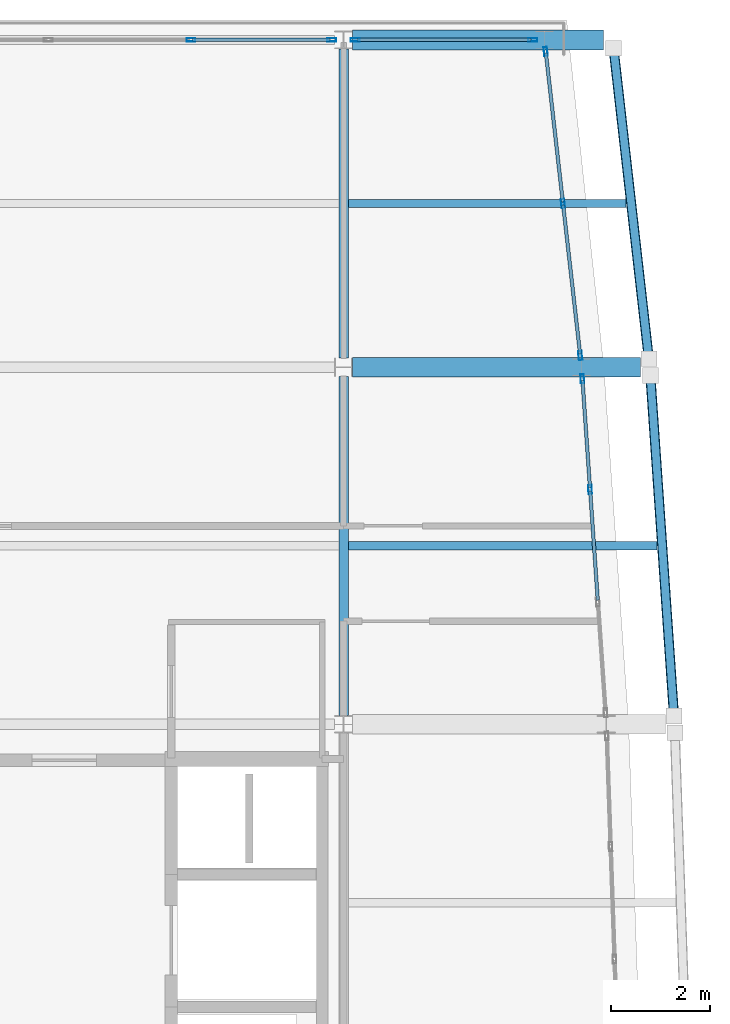
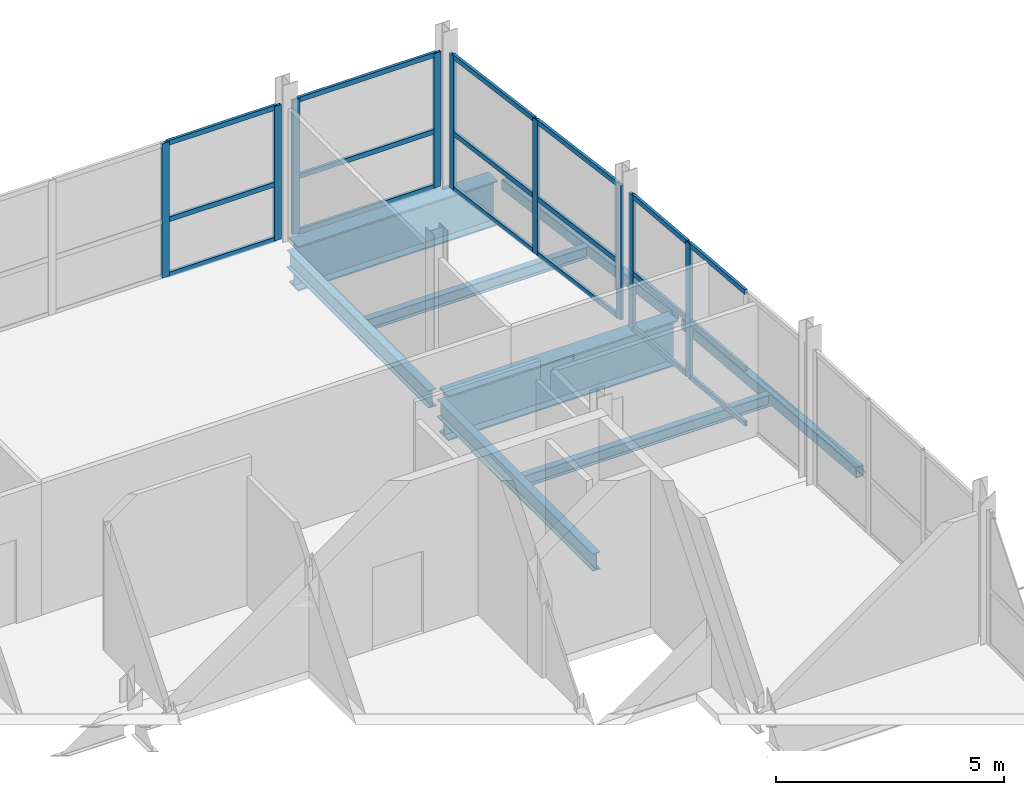
# One storey, part 9 of 17: 27 members, 8 beams, 4 elements without a shape of their own.
"""IFC4 building model written with IfcOpenShell, lengths in metres."""

from ifc_helpers import new_model, si_unit, direction, frame, origin, origin_2d, place, context, subcontext, project, spatial, hollow_rectangle, i_section, extrude, material, layer, layer_set, material_profile, profile_set, type_object, element, aggregate, save


model = new_model("IFC4")

# Units and contexts
model_context = context("Model", 3, precision=1e-05, world=origin(), true_north=direction((0.0, 1.0)))
body_context = subcontext(model_context, "Body", "Model", "MODEL_VIEW")
ifc_project = project(units=[si_unit("LENGTHUNIT", "METRE"), si_unit("AREAUNIT", "SQUARE_METRE"), si_unit("VOLUMEUNIT", "CUBIC_METRE"), si_unit("PLANEANGLEUNIT", "RADIAN"), si_unit("MASSUNIT", "GRAM", prefix="KILO")], contexts=[model_context])

# Site, building, storey
site_placement = place(None, origin())
site = spatial("IfcSite", under=ifc_project, at=site_placement, CompositionType="ELEMENT")
building_placement = place(site_placement, origin())
building = spatial("IfcBuilding", under=site, at=building_placement, Name="Quillay Park Conservatory", CompositionType="ELEMENT")
storey_placement = place(building_placement, frame((0.0, 0.0, 47.699951171875)))
storey = spatial("IfcBuildingStorey", under=building, at=storey_placement, Name="L11", CompositionType="ELEMENT", Elevation=47.699951171875)

# Beams
ifc_material_1 = material(Name="Steel ASTM A992 Grade 50", Category="steel")
ifc_material_profile_1 = material_profile(ifc_material_1, i_section(OverallWidth=0.166015625, OverallDepth=0.31298828125, WebThickness=0.006591796875, FlangeThickness=0.01123046875, FilletRadius=0.010009765625, at=origin_2d()), Name="W310x45")
ifc_profile_set_1 = profile_set([ifc_material_profile_1], Name="Steel ASTM A992 Grade 50")
beam_type_1 = type_object("IfcBeamType", Name="COMPOSITE FLOOR JOIST W310 X45", PredefinedType="JOIST", material=ifc_profile_set_1)
beam_1_placement = place(storey_placement, frame((19.845947265625, 103.199951171875, -0.38134765625), z_axis=(1.0, 0.0, 0.0), x_axis=(0.0, 1.0, 0.0)))
element("IfcBeam", 1, at=beam_1_placement, inside=storey, type_object=beam_type_1, Name="L11 beam BM-J-0817", PredefinedType="JOIST", context=body_context, shape_type="SweptSolid", body=[
    extrude(i_section(OverallWidth=0.166015625, OverallDepth=0.31298828125, WebThickness=0.006591796875, FlangeThickness=0.01123046875, FilletRadius=0.010009765625, at=origin_2d()), origin(), (0.0, 0.0, 1.0), 6.22900390625),
])
beam_2_placement = place(storey_placement, frame((19.845947265625, 110.10009765625, -0.38134765625), z_axis=(1.0, 0.0, 0.0), x_axis=(0.0, 1.0, 0.0)))
element("IfcBeam", 2, at=beam_2_placement, inside=storey, type_object=beam_type_1, Name="L11 beam BM-J-0824", PredefinedType="JOIST", context=body_context, shape_type="SweptSolid", body=[
    extrude(i_section(OverallWidth=0.166015625, OverallDepth=0.31298828125, WebThickness=0.006591796875, FlangeThickness=0.01123046875, FilletRadius=0.010009765625, at=origin_2d()), origin(), (0.0, 0.0, 1.0), 5.60400390625),
])

# Curtain wall, members
ifc_material_2 = material(Name="Thermally Broken Anodised Aluminium 6063-T6", Category="aluminium")
ifc_layer = layer(ifc_material_2, 0.179931640625)
ifc_layer_set = layer_set([ifc_layer], Name="UNITISED CURTAIN WALL TOWER (Thermally Broken Anodised Aluminium 6063-T6)")
curtain_wall_type = type_object("IfcCurtainWallType", Name="UNITISED CURTAIN WALL TOWER", PredefinedType="USERDEFINED", material=ifc_layer_set)
curtain_wall_1_placement = place(storey_placement, origin())
curtain_wall_1 = element("IfcCurtainWall", 3, at=curtain_wall_1_placement, inside=storey, type_object=curtain_wall_type, Name="L11 Unitised Curtain Wall 108", ObjectType="UNITISED CURTAIN WALL", PredefinedType="USERDEFINED")
ifc_material_3 = material(Name="Thermally Broken Anodised Aluminium 6063-T6", Category="aluminium")
ifc_material_profile_2 = material_profile(ifc_material_3, hollow_rectangle(XDim=0.070068359375, YDim=0.179931640625, WallThickness=0.00390625, at=origin_2d()), Name="AL70x180x4")
ifc_profile_set_2 = profile_set([ifc_material_profile_2], Name="Thermally Broken Anodised Aluminium 6063-T6")
member_type_1 = type_object("IfcMemberType", Name="CURTAIN WALL MULLION 70 X180", PredefinedType="MULLION", material=ifc_profile_set_2)
member_1_placement = place(storey_placement, frame((24.56640625, 106.565673828125, 0.0), z_axis=(0.0, 0.0, 1.0), x_axis=(0.99759835015, 0.069264217159, 0.0)))
member_1 = element("IfcMember", 4, at=member_1_placement, type_object=member_type_1, Name="CW-T1 mullion 1", PredefinedType="MULLION", context=body_context, shape_type="SweptSolid", body=[
    extrude(hollow_rectangle(XDim=0.070068359375, YDim=0.179931640625, WallThickness=0.00390625, at=origin_2d()), origin(), (0.0, 0.0, 1.0), 3.59912109375),
])
member_2_placement = place(storey_placement, frame((24.72119140625, 104.33349609375, 0.0), z_axis=(0.0, 0.0, 1.0), x_axis=(0.99759835015, 0.069264217159, 0.0)))
member_2 = element("IfcMember", 5, at=member_2_placement, type_object=member_type_1, Name="CW-T1 mullion 2", PredefinedType="MULLION", context=body_context, shape_type="SweptSolid", body=[
    extrude(hollow_rectangle(XDim=0.070068359375, YDim=0.179931640625, WallThickness=0.00390625, at=origin_2d()), origin(), (0.0, 0.0, 1.0), 3.59912109375),
])

curtain_wall_2_placement = place(storey_placement, origin())
curtain_wall_2 = element("IfcCurtainWall", 6, at=curtain_wall_2_placement, inside=storey, type_object=curtain_wall_type, Name="L11 Unitised Curtain Wall 109", ObjectType="UNITISED CURTAIN WALL", PredefinedType="USERDEFINED")
member_3_placement = place(storey_placement, frame((23.82666015625, 113.16650390625, 0.0), z_axis=(0.0, 0.0, 1.0), x_axis=(0.993605989969, 0.112903218278, 0.0)))
member_3 = element("IfcMember", 7, at=member_3_placement, type_object=member_type_1, Name="CW-T1 mullion 1", PredefinedType="MULLION", context=body_context, shape_type="SweptSolid", body=[
    extrude(hollow_rectangle(XDim=0.070068359375, YDim=0.179931640625, WallThickness=0.00390625, at=origin_2d()), origin(), (0.0, 0.0, 1.0), 3.59912109375),
])
member_4_placement = place(storey_placement, frame((24.175048828125, 110.10009765625, 0.0), z_axis=(0.0, 0.0, 1.0), x_axis=(0.993605989969, 0.112903218278, 0.0)))
member_4 = element("IfcMember", 8, at=member_4_placement, type_object=member_type_1, Name="CW-T1 mullion 2", PredefinedType="MULLION", context=body_context, shape_type="SweptSolid", body=[
    extrude(hollow_rectangle(XDim=0.070068359375, YDim=0.179931640625, WallThickness=0.00390625, at=origin_2d()), origin(), (0.0, 0.0, 1.0), 3.59912109375),
])
member_5_placement = place(storey_placement, frame((24.5234375, 107.033447265625, 0.0), z_axis=(0.0, 0.0, 1.0), x_axis=(0.993605989969, 0.112903218278, 0.0)))
member_5 = element("IfcMember", 9, at=member_5_placement, type_object=member_type_1, Name="CW-T1 mullion 3", PredefinedType="MULLION", context=body_context, shape_type="SweptSolid", body=[
    extrude(hollow_rectangle(XDim=0.070068359375, YDim=0.179931640625, WallThickness=0.00390625, at=origin_2d()), origin(), (0.0, 0.0, 1.0), 3.59912109375),
])

curtain_wall_3_placement = place(storey_placement, origin())
curtain_wall_3 = element("IfcCurtainWall", 10, at=curtain_wall_3_placement, inside=storey, type_object=curtain_wall_type, Name="L11 Unitised Curtain Wall 111", ObjectType="UNITISED CURTAIN WALL", PredefinedType="USERDEFINED")
member_6_placement = place(storey_placement, frame((16.675048828125, 113.39990234375, 0.0), z_axis=(0.0, 0.0, 1.0), x_axis=(0.0, 1.0, 0.0)))
member_6 = element("IfcMember", 11, at=member_6_placement, type_object=member_type_1, Name="CW-T1 mullion 4", PredefinedType="MULLION", context=body_context, shape_type="SweptSolid", body=[
    extrude(hollow_rectangle(XDim=0.070068359375, YDim=0.179931640625, WallThickness=0.00390625, at=origin_2d()), origin(), (0.0, 0.0, 1.0), 3.59912109375),
])
member_7_placement = place(storey_placement, frame((19.514892578125, 113.39990234375, 0.0), z_axis=(0.0, 0.0, 1.0), x_axis=(0.0, 1.0, 0.0)))
member_7 = element("IfcMember", 12, at=member_7_placement, type_object=member_type_1, Name="CW-T1 mullion 5", PredefinedType="MULLION", context=body_context, shape_type="SweptSolid", body=[
    extrude(hollow_rectangle(XDim=0.070068359375, YDim=0.179931640625, WallThickness=0.00390625, at=origin_2d()), origin(), (0.0, 0.0, 1.0), 3.59912109375),
])

curtain_wall_4_placement = place(storey_placement, origin())
curtain_wall_4 = element("IfcCurtainWall", 13, at=curtain_wall_4_placement, inside=storey, type_object=curtain_wall_type, Name="L11 Unitised Curtain Wall 112", ObjectType="UNITISED CURTAIN WALL", PredefinedType="USERDEFINED")
member_8_placement = place(storey_placement, frame((19.985107421875, 113.39990234375, 0.0), z_axis=(0.0, 0.0, 1.0), x_axis=(0.0, 1.0, 0.0)))
member_8 = element("IfcMember", 14, at=member_8_placement, type_object=member_type_1, Name="CW-T1 mullion 1", PredefinedType="MULLION", context=body_context, shape_type="SweptSolid", body=[
    extrude(hollow_rectangle(XDim=0.070068359375, YDim=0.179931640625, WallThickness=0.00390625, at=origin_2d()), origin(), (0.0, 0.0, 1.0), 3.59912109375),
])
member_9_placement = place(storey_placement, frame((23.56494140625, 113.39990234375, 0.0), z_axis=(0.0, 0.0, 1.0), x_axis=(0.0, 1.0, 0.0)))
member_9 = element("IfcMember", 15, at=member_9_placement, type_object=member_type_1, Name="CW-T1 mullion 2", PredefinedType="MULLION", context=body_context, shape_type="SweptSolid", body=[
    extrude(hollow_rectangle(XDim=0.070068359375, YDim=0.179931640625, WallThickness=0.00390625, at=origin_2d()), origin(), (0.0, 0.0, 1.0), 3.59912109375),
])

# Member
ifc_material_4 = material(Name="Thermally Broken Anodised Aluminium 6063-T6", Category="aluminium")
ifc_material_profile_3 = material_profile(ifc_material_4, hollow_rectangle(XDim=0.070068359375, YDim=0.1298828125, WallThickness=0.003173828125, at=origin_2d()), Name="AL70x130x3.2")
ifc_profile_set_3 = profile_set([ifc_material_profile_3], Name="Thermally Broken Anodised Aluminium 6063-T6")
member_type_2 = type_object("IfcMemberType", Name="CURTAIN WALL TRANSOM 70 X130", PredefinedType="USERDEFINED", material=ifc_profile_set_3)
member_10_placement = place(storey_placement, frame((24.56884765625, 106.53076171875, 0.03515625), z_axis=(0.069269814421, -0.997597961511, 0.0), x_axis=(0.997597961511, 0.069269814421, 0.0)))
member_10 = element("IfcMember", 16, at=member_10_placement, type_object=member_type_2, Name="CW-T1 transom 1.1", ObjectType="TRANSOM", PredefinedType="USERDEFINED", context=body_context, shape_type="SweptSolid", body=[
    extrude(hollow_rectangle(XDim=0.070068359375, YDim=0.1298828125, WallThickness=0.003173828125, at=origin_2d()), origin(), (0.0, 0.0, 1.0), 2.16748046875),
])

member_11_placement = place(storey_placement, frame((24.56884765625, 106.53076171875, 1.51171875), z_axis=(0.069269814421, -0.997597961511, 0.0), x_axis=(0.997597961511, 0.069269814421, 0.0)))
member_11 = element("IfcMember", 17, at=member_11_placement, type_object=member_type_2, Name="CW-T1 transom 1.2", ObjectType="TRANSOM", PredefinedType="USERDEFINED", context=body_context, shape_type="SweptSolid", body=[
    extrude(hollow_rectangle(XDim=0.070068359375, YDim=0.1298828125, WallThickness=0.003173828125, at=origin_2d()), origin(), (0.0, 0.0, 1.0), 2.16748046875),
])

member_12_placement = place(storey_placement, frame((24.56884765625, 106.53076171875, 3.56396484375), z_axis=(0.069269814421, -0.997597961511, 0.0), x_axis=(0.997597961511, 0.069269814421, 0.0)))
member_12 = element("IfcMember", 18, at=member_12_placement, type_object=member_type_2, Name="CW-T1 transom 1.3", ObjectType="TRANSOM", PredefinedType="USERDEFINED", context=body_context, shape_type="SweptSolid", body=[
    extrude(hollow_rectangle(XDim=0.070068359375, YDim=0.1298828125, WallThickness=0.003173828125, at=origin_2d()), origin(), (0.0, 0.0, 1.0), 2.16748046875),
])

member_13_placement = place(storey_placement, frame((24.7236328125, 104.298583984375, 0.03515625), z_axis=(0.069277598678, -0.997597420968, 0.0), x_axis=(0.997597420968, 0.069277598678, 0.0)))
member_13 = element("IfcMember", 19, at=member_13_placement, type_object=member_type_2, Name="CW-T1 transom 2.1", ObjectType="TRANSOM", PredefinedType="USERDEFINED", context=body_context, shape_type="SweptSolid", body=[
    extrude(hollow_rectangle(XDim=0.070068359375, YDim=0.1298828125, WallThickness=0.003173828125, at=origin_2d()), origin(), (0.0, 0.0, 1.0), 2.20263671875),
])

member_14_placement = place(storey_placement, frame((24.7236328125, 104.298583984375, 1.51171875), z_axis=(0.069277598678, -0.997597420968, 0.0), x_axis=(0.997597420968, 0.069277598678, 0.0)))
member_14 = element("IfcMember", 20, at=member_14_placement, type_object=member_type_2, Name="CW-T1 transom 2.2", ObjectType="TRANSOM", PredefinedType="USERDEFINED", context=body_context, shape_type="SweptSolid", body=[
    extrude(hollow_rectangle(XDim=0.070068359375, YDim=0.1298828125, WallThickness=0.003173828125, at=origin_2d()), origin(), (0.0, 0.0, 1.0), 2.20263671875),
])

member_15_placement = place(storey_placement, frame((24.7236328125, 104.298583984375, 3.56396484375), z_axis=(0.069277598678, -0.997597420968, 0.0), x_axis=(0.997597420968, 0.069277598678, 0.0)))
member_15 = element("IfcMember", 21, at=member_15_placement, type_object=member_type_2, Name="CW-T1 transom 2.3", ObjectType="TRANSOM", PredefinedType="USERDEFINED", context=body_context, shape_type="SweptSolid", body=[
    extrude(hollow_rectangle(XDim=0.070068359375, YDim=0.1298828125, WallThickness=0.003173828125, at=origin_2d()), origin(), (0.0, 0.0, 1.0), 2.20263671875),
])

aggregate(curtain_wall_1, [member_1, member_2, member_10, member_11, member_12, member_13, member_14, member_15])

member_16_placement = place(storey_placement, frame((23.83056640625, 113.1318359375, 0.03515625), z_axis=(0.112909688044, -0.99360525479, 0.0), x_axis=(0.99360525479, 0.112909688044, 0.0)))
member_16 = element("IfcMember", 22, at=member_16_placement, type_object=member_type_2, Name="CW-T1 transom 1.1", ObjectType="TRANSOM", PredefinedType="USERDEFINED", context=body_context, shape_type="SweptSolid", body=[
    extrude(hollow_rectangle(XDim=0.070068359375, YDim=0.1298828125, WallThickness=0.003173828125, at=origin_2d()), origin(), (0.0, 0.0, 1.0), 3.016357421875),
])

member_17_placement = place(storey_placement, frame((23.83056640625, 113.1318359375, 1.51171875), z_axis=(0.112909688044, -0.99360525479, 0.0), x_axis=(0.99360525479, 0.112909688044, 0.0)))
member_17 = element("IfcMember", 23, at=member_17_placement, type_object=member_type_2, Name="CW-T1 transom 1.2", ObjectType="TRANSOM", PredefinedType="USERDEFINED", context=body_context, shape_type="SweptSolid", body=[
    extrude(hollow_rectangle(XDim=0.070068359375, YDim=0.1298828125, WallThickness=0.003173828125, at=origin_2d()), origin(), (0.0, 0.0, 1.0), 3.016357421875),
])

member_18_placement = place(storey_placement, frame((23.83056640625, 113.1318359375, 3.56396484375), z_axis=(0.112909688044, -0.99360525479, 0.0), x_axis=(0.99360525479, 0.112909688044, 0.0)))
member_18 = element("IfcMember", 24, at=member_18_placement, type_object=member_type_2, Name="CW-T1 transom 1.3", ObjectType="TRANSOM", PredefinedType="USERDEFINED", context=body_context, shape_type="SweptSolid", body=[
    extrude(hollow_rectangle(XDim=0.070068359375, YDim=0.1298828125, WallThickness=0.003173828125, at=origin_2d()), origin(), (0.0, 0.0, 1.0), 3.016357421875),
])

member_19_placement = place(storey_placement, frame((24.178955078125, 110.065185546875, 0.03515625), z_axis=(0.112918769109, -0.993604222808, 0.0), x_axis=(0.993604222808, 0.112918769109, 0.0)))
member_19 = element("IfcMember", 25, at=member_19_placement, type_object=member_type_2, Name="CW-T1 transom 2.1", ObjectType="TRANSOM", PredefinedType="USERDEFINED", context=body_context, shape_type="SweptSolid", body=[
    extrude(hollow_rectangle(XDim=0.070068359375, YDim=0.1298828125, WallThickness=0.003173828125, at=origin_2d()), origin(), (0.0, 0.0, 1.0), 3.01611328125),
])

member_20_placement = place(storey_placement, frame((24.178955078125, 110.065185546875, 1.51171875), z_axis=(0.112918769109, -0.993604222808, 0.0), x_axis=(0.993604222808, 0.112918769109, 0.0)))
member_20 = element("IfcMember", 26, at=member_20_placement, type_object=member_type_2, Name="CW-T1 transom 2.2", ObjectType="TRANSOM", PredefinedType="USERDEFINED", context=body_context, shape_type="SweptSolid", body=[
    extrude(hollow_rectangle(XDim=0.070068359375, YDim=0.1298828125, WallThickness=0.003173828125, at=origin_2d()), origin(), (0.0, 0.0, 1.0), 3.01611328125),
])

member_21_placement = place(storey_placement, frame((24.178955078125, 110.065185546875, 3.56396484375), z_axis=(0.112918769109, -0.993604222808, 0.0), x_axis=(0.993604222808, 0.112918769109, 0.0)))
member_21 = element("IfcMember", 27, at=member_21_placement, type_object=member_type_2, Name="CW-T1 transom 2.3", ObjectType="TRANSOM", PredefinedType="USERDEFINED", context=body_context, shape_type="SweptSolid", body=[
    extrude(hollow_rectangle(XDim=0.070068359375, YDim=0.1298828125, WallThickness=0.003173828125, at=origin_2d()), origin(), (0.0, 0.0, 1.0), 3.01611328125),
])

aggregate(curtain_wall_2, [member_3, member_4, member_5, member_16, member_17, member_18, member_19, member_20, member_21])

member_22_placement = place(storey_placement, frame((16.7099609375, 113.39990234375, 0.03515625), z_axis=(1.0, 0.0, 0.0), x_axis=(0.0, 1.0, 0.0)))
member_22 = element("IfcMember", 28, at=member_22_placement, type_object=member_type_2, Name="CW-T1 transom 4.1", ObjectType="TRANSOM", PredefinedType="USERDEFINED", context=body_context, shape_type="SweptSolid", body=[
    extrude(hollow_rectangle(XDim=0.070068359375, YDim=0.1298828125, WallThickness=0.003173828125, at=origin_2d()), origin(), (0.0, 0.0, 1.0), 2.77001953125),
])

member_23_placement = place(storey_placement, frame((16.7099609375, 113.39990234375, 1.51171875), z_axis=(1.0, 0.0, 0.0), x_axis=(0.0, 1.0, 0.0)))
member_23 = element("IfcMember", 29, at=member_23_placement, type_object=member_type_2, Name="CW-T1 transom 4.2", ObjectType="TRANSOM", PredefinedType="USERDEFINED", context=body_context, shape_type="SweptSolid", body=[
    extrude(hollow_rectangle(XDim=0.070068359375, YDim=0.1298828125, WallThickness=0.003173828125, at=origin_2d()), origin(), (0.0, 0.0, 1.0), 2.77001953125),
])

member_24_placement = place(storey_placement, frame((16.7099609375, 113.39990234375, 3.56396484375), z_axis=(1.0, 0.0, 0.0), x_axis=(0.0, 1.0, 0.0)))
member_24 = element("IfcMember", 30, at=member_24_placement, type_object=member_type_2, Name="CW-T1 transom 4.3", ObjectType="TRANSOM", PredefinedType="USERDEFINED", context=body_context, shape_type="SweptSolid", body=[
    extrude(hollow_rectangle(XDim=0.070068359375, YDim=0.1298828125, WallThickness=0.003173828125, at=origin_2d()), origin(), (0.0, 0.0, 1.0), 2.77001953125),
])

aggregate(curtain_wall_3, [member_6, member_7, member_22, member_23, member_24])

member_25_placement = place(storey_placement, frame((20.02001953125, 113.39990234375, 0.03515625), z_axis=(1.0, 0.0, 0.0), x_axis=(0.0, 1.0, 0.0)))
member_25 = element("IfcMember", 31, at=member_25_placement, type_object=member_type_2, Name="CW-T1 transom 1.1", ObjectType="TRANSOM", PredefinedType="USERDEFINED", context=body_context, shape_type="SweptSolid", body=[
    extrude(hollow_rectangle(XDim=0.070068359375, YDim=0.1298828125, WallThickness=0.003173828125, at=origin_2d()), origin(), (0.0, 0.0, 1.0), 3.510009765625),
])

member_26_placement = place(storey_placement, frame((20.02001953125, 113.39990234375, 1.51171875), z_axis=(1.0, 0.0, 0.0), x_axis=(0.0, 1.0, 0.0)))
member_26 = element("IfcMember", 32, at=member_26_placement, type_object=member_type_2, Name="CW-T1 transom 1.2", ObjectType="TRANSOM", PredefinedType="USERDEFINED", context=body_context, shape_type="SweptSolid", body=[
    extrude(hollow_rectangle(XDim=0.070068359375, YDim=0.1298828125, WallThickness=0.003173828125, at=origin_2d()), origin(), (0.0, 0.0, 1.0), 3.510009765625),
])

member_27_placement = place(storey_placement, frame((20.02001953125, 113.39990234375, 3.56396484375), z_axis=(1.0, 0.0, 0.0), x_axis=(0.0, 1.0, 0.0)))
member_27 = element("IfcMember", 33, at=member_27_placement, type_object=member_type_2, Name="CW-T1 transom 1.3", ObjectType="TRANSOM", PredefinedType="USERDEFINED", context=body_context, shape_type="SweptSolid", body=[
    extrude(hollow_rectangle(XDim=0.070068359375, YDim=0.1298828125, WallThickness=0.003173828125, at=origin_2d()), origin(), (0.0, 0.0, 1.0), 3.510009765625),
])

aggregate(curtain_wall_4, [member_8, member_9, member_25, member_26, member_27])

# Beams
ifc_material_5 = material(Name="Steel S355J2H", Category="steel")
ifc_material_profile_4 = material_profile(ifc_material_5, hollow_rectangle(XDim=0.199951171875, YDim=0.300048828125, WallThickness=0.012451171875, InnerFilletRadius=0.012451171875, OuterFilletRadius=0.02490234375, at=origin_2d()), Name="RHS300x200x12.5")
ifc_profile_set_4 = profile_set([ifc_material_profile_4], Name="Steel S355J2H")
beam_type_2 = type_object("IfcBeamType", Name="PERIMETER SPANDREL BEAM RHS300", PredefinedType="SPANDREL", material=ifc_profile_set_4)
beam_3_placement = place(storey_placement, frame((26.412353515625, 99.781494140625, -0.375), z_axis=(-0.069287446563, 0.997596737038, 0.0), x_axis=(-0.997596737038, -0.069287446563, 0.0)))
element("IfcBeam", 34, at=beam_3_placement, inside=storey, type_object=beam_type_2, Name="L11 beam BM-SPE-0813", PredefinedType="SPANDREL", context=body_context, shape_type="SweptSolid", body=[
    extrude(hollow_rectangle(XDim=0.199951171875, YDim=0.300048828125, WallThickness=0.012451171875, InnerFilletRadius=0.012451171875, OuterFilletRadius=0.02490234375, at=origin_2d()), origin(), (0.0, 0.0, 1.0), 6.853271484375),
])
beam_4_placement = place(storey_placement, frame((25.904541015625, 106.980712890625, -0.375), z_axis=(-0.112919285123, 0.993604164166, 0.0), x_axis=(-0.993604164166, -0.112919285123, 0.0)))
element("IfcBeam", 35, at=beam_4_placement, inside=storey, type_object=beam_type_2, Name="L11 beam BM-SPE-0820", PredefinedType="SPANDREL", context=body_context, shape_type="SweptSolid", body=[
    extrude(hollow_rectangle(XDim=0.199951171875, YDim=0.300048828125, WallThickness=0.012451171875, InnerFilletRadius=0.012451171875, OuterFilletRadius=0.02490234375, at=origin_2d()), origin(), (0.0, 0.0, 1.0), 6.278564453125),
])
ifc_material_6 = material(Name="Steel ASTM A992 Grade 50", Category="steel")
ifc_material_profile_5 = material_profile(ifc_material_6, i_section(OverallWidth=0.19189453125, OverallDepth=0.462890625, WebThickness=0.010498046875, FlangeThickness=0.017578125, FilletRadius=0.012939453125, at=origin_2d()), Name="W460x89")
ifc_profile_set_5 = profile_set([ifc_material_profile_5], Name="Steel ASTM A992 Grade 50")
beam_type_3 = type_object("IfcBeamType", Name="PRIMARY FLOOR GIRDER W460 X89", PredefinedType="BEAM", material=ifc_profile_set_5)
beam_5_placement = place(storey_placement, frame((19.75, 99.781982421875, -0.45654296875), z_axis=(0.0, 1.0, 0.0), x_axis=(-1.0, 0.0, 0.0)))
element("IfcBeam", 36, at=beam_5_placement, inside=storey, type_object=beam_type_3, Name="L11 beam BM-GNS-0815", PredefinedType="BEAM", context=body_context, shape_type="SweptSolid", body=[
    extrude(i_section(OverallWidth=0.19189453125, OverallDepth=0.462890625, WebThickness=0.010498046875, FlangeThickness=0.017578125, FilletRadius=0.012939453125, at=origin_2d()), origin(), (0.0, 0.0, 1.0), 6.83251953125),
])
beam_6_placement = place(storey_placement, frame((19.75, 106.985595703125, -0.45654296875), z_axis=(0.0, 1.0, 0.0), x_axis=(-1.0, 0.0, 0.0)))
element("IfcBeam", 37, at=beam_6_placement, inside=storey, type_object=beam_type_3, Name="L11 beam BM-GNS-0822", PredefinedType="BEAM", context=body_context, shape_type="SweptSolid", body=[
    extrude(i_section(OverallWidth=0.19189453125, OverallDepth=0.462890625, WebThickness=0.010498046875, FlangeThickness=0.017578125, FilletRadius=0.012939453125, at=origin_2d()), origin(), (0.0, 0.0, 1.0), 6.232421875),
])
ifc_material_7 = material(Name="Steel ASTM A572 Grade 50", Category="steel")
ifc_material_profile_6 = material_profile(ifc_material_7, i_section(OverallWidth=0.39990234375, OverallDepth=1.199951171875, WebThickness=0.02001953125, FlangeThickness=0.0380859375, at=origin_2d()), Name="IG1200x400")
ifc_profile_set_6 = profile_set([ifc_material_profile_6], Name="Steel ASTM A572 Grade 50")
beam_type_4 = type_object("IfcBeamType", Name="TRANSFER PLATE GIRDER IG1200", PredefinedType="USERDEFINED", material=ifc_profile_set_6)
beam_7_placement = place(storey_placement, frame((19.931884765625, 106.800048828125, -0.824951171875), z_axis=(1.0, 0.0, 0.0), x_axis=(0.0, 1.0, 0.0)))
element("IfcBeam", 38, at=beam_7_placement, inside=storey, type_object=beam_type_4, Name="L11 beam BM-TG2-0783", ObjectType="TRANSFER PLATE GIRDER", PredefinedType="USERDEFINED", context=body_context, shape_type="SweptSolid", body=[
    extrude(i_section(OverallWidth=0.39990234375, OverallDepth=1.199951171875, WebThickness=0.02001953125, FlangeThickness=0.0380859375, at=origin_2d()), origin(), (0.0, 0.0, 1.0), 5.8076171875),
])
beam_8_placement = place(storey_placement, frame((19.935546875, 113.39990234375, -0.824951171875), z_axis=(1.0, 0.0, 0.0), x_axis=(0.0, 1.0, 0.0)))
element("IfcBeam", 39, at=beam_8_placement, inside=storey, type_object=beam_type_4, Name="L11 beam BM-TG2-0786", ObjectType="TRANSFER PLATE GIRDER", PredefinedType="USERDEFINED", context=body_context, shape_type="SweptSolid", body=[
    extrude(i_section(OverallWidth=0.39990234375, OverallDepth=1.199951171875, WebThickness=0.02001953125, FlangeThickness=0.0380859375, at=origin_2d()), origin(), (0.0, 0.0, 1.0), 5.053955078125),
])

save(model, "model.ifc")
